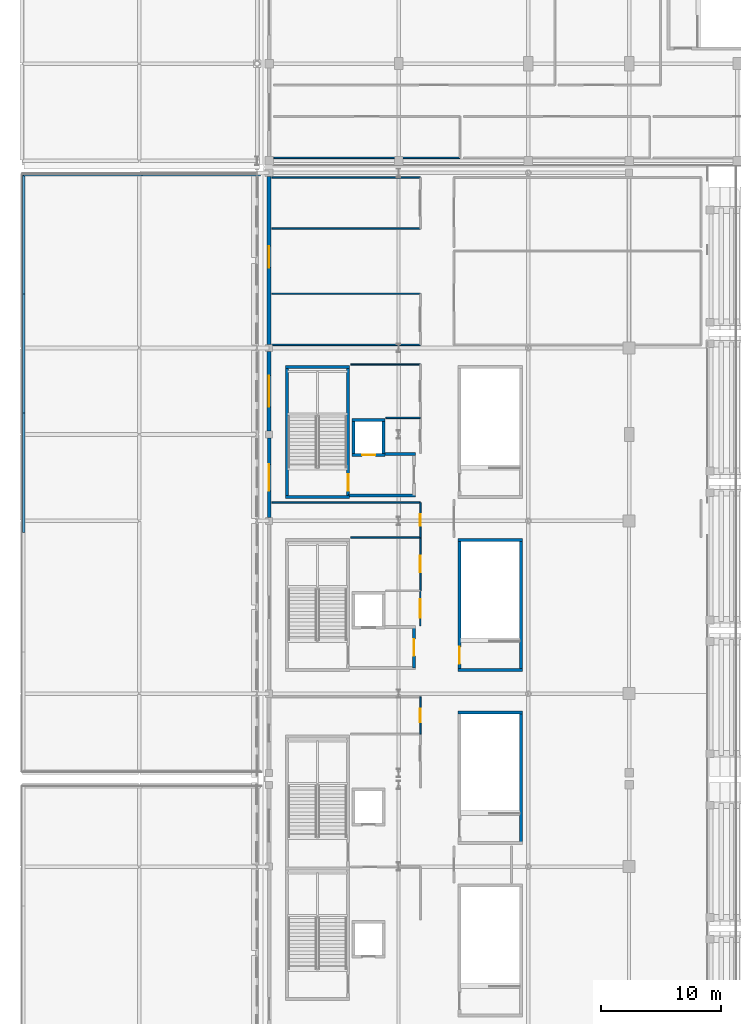
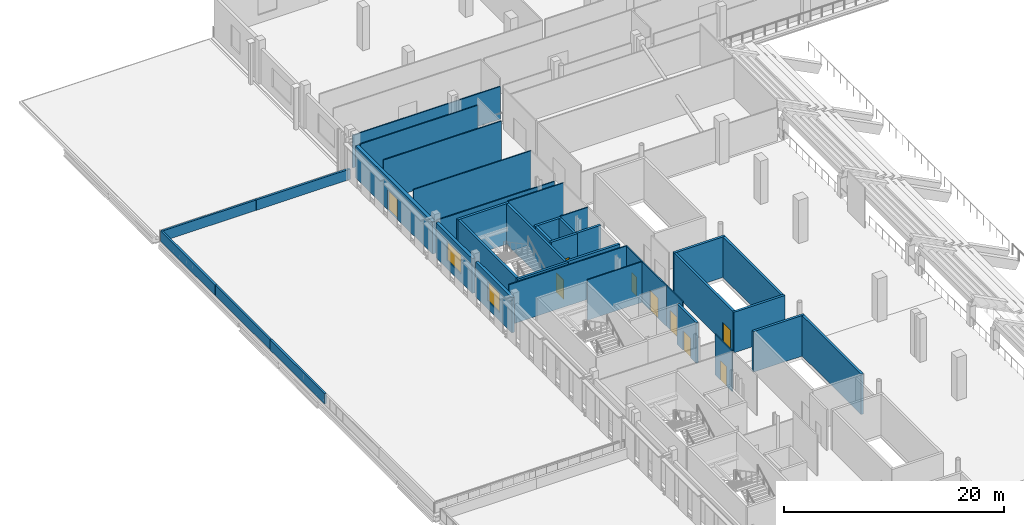
# One storey, part 33 of 74: 38 walls, 9 doors, 2 windows, 11 openings.
"""IFC4 building model written with IfcOpenShell, lengths in metres."""

from ifc_helpers import new_model, si_unit, direction, frame, frame_2d, origin, place, context, subcontext, project, spatial, rectangle, extrude, material, layer, layer_set, type_object, element, fill, save


model = new_model("IFC4")

# Units and contexts
model_context = context("Model", 3, precision=1e-05, world=origin(), true_north=direction((0.0, 1.0)))
body_context = subcontext(model_context, "Body", "Model", "MODEL_VIEW")
ifc_project = project(units=[si_unit("LENGTHUNIT", "METRE"), si_unit("AREAUNIT", "SQUARE_METRE"), si_unit("VOLUMEUNIT", "CUBIC_METRE"), si_unit("PLANEANGLEUNIT", "RADIAN"), si_unit("MASSUNIT", "GRAM", prefix="KILO")], contexts=[model_context])

# Site, building, storey
site_placement = place(None, origin())
site = spatial("IfcSite", under=ifc_project, at=site_placement, CompositionType="ELEMENT")
building_placement = place(site_placement, origin())
building = spatial("IfcBuilding", under=site, at=building_placement, Name="Koshinbarg Plaza Stadium", CompositionType="ELEMENT")
storey_placement = place(building_placement, frame((0.0, 0.0, 15.0)))
storey = spatial("IfcBuildingStorey", under=building, at=storey_placement, Name="L03", CompositionType="ELEMENT", Elevation=15.0)

# Walls
ifc_material_1 = material(Name="Concrete C40/50", Category="concrete")
ifc_layer_1 = layer(ifc_material_1, 0.25)
ifc_layer_set_1 = layer_set([ifc_layer_1], Name="Concrete C40/50")
wall_type_1 = type_object("IfcWallType", Name="WL-CORE-250", PredefinedType="SHEAR", material=ifc_layer_set_1)
for number, where, z_axis, x_axis, name in (
    (1, (25.949951171875, 99.47509765625, 0.0), (0.0, 0.0, 1.0), (1.0, 0.0, 0.0), "L03 core stair shear wall C06-near IWL-L03-0146"),
    (2, (31.320068359375, 110.324951171875, 0.0), (0.0, 0.0, 1.0), (-1.0, 0.0, 0.0), "L03 core stair shear wall C06-far IWL-L03-0147"),
):
    element("IfcWall", number, at=place(storey_placement, frame(where, z_axis=z_axis, x_axis=x_axis)), inside=storey, type_object=wall_type_1, Name=name, PredefinedType="SHEAR", context=body_context, shape_type="SweptSolid", body=[
        extrude(rectangle(XDim=5.3701171875, YDim=0.25, at=frame_2d((2.68505859375, 0.0))), origin(), (0.0, 0.0, 1.0), 4.5),
    ])
wall_1_placement = place(storey_placement, frame((26.074951171875, 99.47509765625, 0.0), z_axis=(0.0, 0.0, 1.0), x_axis=(0.0, 1.0, 0.0)))
element("IfcWall", 3, at=wall_1_placement, inside=storey, type_object=wall_type_1, Name="L03 core stair shear wall C06-left IWL-L03-0148", PredefinedType="SHEAR", context=body_context, shape_type="SweptSolid", body=[
    extrude(rectangle(XDim=10.849853515625, YDim=0.25, at=frame_2d((5.4248046875, 0.0))), origin(), (0.0, 0.0, 1.0), 4.5),
])

# Wall, opening, door
wall_2_placement = place(storey_placement, frame((31.195068359375, 99.47509765625, 0.0), z_axis=(0.0, 0.0, 1.0), x_axis=(0.0, 1.0, 0.0)))
wall_2 = element("IfcWall", 4, at=wall_2_placement, inside=storey, type_object=wall_type_1, Name="L03 core stair shear wall C06-right IWL-L03-0149", PredefinedType="SHEAR", context=body_context, shape_type="SweptSolid", body=[
    extrude(rectangle(XDim=10.849853515625, YDim=0.25, at=frame_2d((5.4248046875, 0.0))), origin(), (0.0, 0.0, 1.0), 4.5),
])
opening_1_placement = place(wall_2_placement, frame((0.52001953125, 0.0, 0.0)))
opening_1 = element("IfcOpeningElement", 5, at=opening_1_placement, cuts=wall_2, Name="Opening D-0099", PredefinedType="OPENING", context=body_context, shape_type="SweptSolid", body=[
    extrude(rectangle(XDim=1.39990234375, YDim=2.14990234375, at=frame_2d((0.699951171875, 1.074951171875))), frame((0.0, 0.135009765625, 0.0), z_axis=(0.0, -1.0, 0.0), x_axis=(1.0, 0.0, 0.0)), (0.0, 0.0, 1.0), 0.27001953125),
])
ifc_material_2 = material(Name="Painted galvanized steel fire door", Category="steel")
door_type_1 = type_object("IfcDoorType", Name="DR-STAIR-1400", OperationType="NOTDEFINED", PredefinedType="DOOR", material=ifc_material_2)
door_1_placement = place(opening_1_placement, origin())
door_1 = element("IfcDoor", 6, at=door_1_placement, inside=storey, type_object=door_type_1, Name="L03 exit stair door C06", OperationType="SINGLE_SWING_RIGHT", OverallHeight=2.14990234375, OverallWidth=1.39990234375, PredefinedType="DOOR", context=body_context, shape_type="SweptSolid", body=[
    extrude(rectangle(XDim=1.39990234375, YDim=2.14990234375, at=frame_2d((0.699951171875, 1.074951171875))), frame((0.0, 0.02490234375, 0.0), z_axis=(0.0, -1.0, 0.0), x_axis=(1.0, 0.0, 0.0)), (0.0, 0.0, 1.0), 0.050048828125),
])
fill(opening_1, door_1)

# Walls
wall_3_placement = place(storey_placement, frame((45.719970703125, 81.52490234375, 0.0), z_axis=(0.0, 0.0, 1.0), x_axis=(-1.0, 0.0, 0.0)))
element("IfcWall", 7, at=wall_3_placement, inside=storey, type_object=wall_type_1, Name="L03 vomitory stair shear wall VX04-far IWL-L03-0415", PredefinedType="SHEAR", context=body_context, shape_type="SweptSolid", body=[
    extrude(rectangle(XDim=5.369873046875, YDim=0.25, at=frame_2d((2.68505859375, 0.0))), origin(), (0.0, 0.0, 1.0), 4.5),
])
wall_4_placement = place(storey_placement, frame((45.594970703125, 70.675048828125, 0.0), z_axis=(0.0, 0.0, 1.0), x_axis=(0.0, 1.0, 0.0)))
element("IfcWall", 8, at=wall_4_placement, inside=storey, type_object=wall_type_1, Name="L03 vomitory stair shear wall VX04-right IWL-L03-0417", PredefinedType="SHEAR", context=body_context, shape_type="SweptSolid", body=[
    extrude(rectangle(XDim=10.849853515625, YDim=0.25, at=frame_2d((5.4248046875, 0.0))), origin(), (0.0, 0.0, 1.0), 4.5),
])
for number, where, z_axis, x_axis, name in (
    (9, (40.35009765625, 85.074951171875, 0.0), (0.0, 0.0, 1.0), (1.0, 0.0, 0.0), "L03 vomitory stair shear wall VX05-near IWL-L03-0430"),
    (10, (45.719970703125, 95.925048828125, 0.0), (0.0, 0.0, 1.0), (-1.0, 0.0, 0.0), "L03 vomitory stair shear wall VX05-far IWL-L03-0431"),
):
    element("IfcWall", number, at=place(storey_placement, frame(where, z_axis=z_axis, x_axis=x_axis)), inside=storey, type_object=wall_type_1, Name=name, PredefinedType="SHEAR", context=body_context, shape_type="SweptSolid", body=[
        extrude(rectangle(XDim=5.369873046875, YDim=0.25, at=frame_2d((2.68505859375, 0.0))), origin(), (0.0, 0.0, 1.0), 4.5),
    ])

# Wall, opening, door
wall_5_placement = place(storey_placement, frame((40.47509765625, 85.074951171875, 0.0), z_axis=(0.0, 0.0, 1.0), x_axis=(0.0, 1.0, 0.0)))
wall_5 = element("IfcWall", 11, at=wall_5_placement, inside=storey, type_object=wall_type_1, Name="L03 vomitory stair shear wall VX05-left IWL-L03-0432", PredefinedType="SHEAR", context=body_context, shape_type="SweptSolid", body=[
    extrude(rectangle(XDim=10.85009765625, YDim=0.25, at=frame_2d((5.425048828125, 0.0))), origin(), (0.0, 0.0, 1.0), 4.5),
])
opening_2_placement = place(wall_5_placement, frame((0.52001953125, 0.0, 0.0)))
opening_2 = element("IfcOpeningElement", 12, at=opening_2_placement, cuts=wall_5, Name="Opening D-0170", PredefinedType="OPENING", context=body_context, shape_type="SweptSolid", body=[
    extrude(rectangle(XDim=1.39990234375, YDim=2.14990234375, at=frame_2d((0.699951171875, 1.074951171875))), frame((0.0, 0.135009765625, 0.0), z_axis=(0.0, -1.0, 0.0), x_axis=(1.0, 0.0, 0.0)), (0.0, 0.0, 1.0), 0.27001953125),
])
door_2_placement = place(opening_2_placement, frame((1.39990234375, 0.0, 0.0), z_axis=(0.0, 0.0, 1.0), x_axis=(-1.0, 0.0, 0.0)))
door_2 = element("IfcDoor", 13, at=door_2_placement, inside=storey, type_object=door_type_1, Name="L03 vomitory exit stair door VX05", OperationType="SINGLE_SWING_LEFT", OverallHeight=2.14990234375, OverallWidth=1.39990234375, PredefinedType="DOOR", context=body_context, shape_type="SweptSolid", body=[
    extrude(rectangle(XDim=1.39990234375, YDim=2.14990234375, at=frame_2d((0.699951171875, 1.074951171875))), frame((0.0, 0.02490234375, 0.0), z_axis=(0.0, -1.0, 0.0), x_axis=(1.0, 0.0, 0.0)), (0.0, 0.0, 1.0), 0.050048828125),
])
fill(opening_2, door_2)

# Wall
wall_6_placement = place(storey_placement, frame((45.594970703125, 85.074951171875, 0.0), z_axis=(0.0, 0.0, 1.0), x_axis=(0.0, 1.0, 0.0)))
element("IfcWall", 14, at=wall_6_placement, inside=storey, type_object=wall_type_1, Name="L03 vomitory stair shear wall VX05-right IWL-L03-0433", PredefinedType="SHEAR", context=body_context, shape_type="SweptSolid", body=[
    extrude(rectangle(XDim=10.85009765625, YDim=0.25, at=frame_2d((5.425048828125, 0.0))), origin(), (0.0, 0.0, 1.0), 4.5),
])

# Wall, opening, door
wall_7_placement = place(storey_placement, frame((36.675048828125, 85.22509765625, 0.0), z_axis=(0.0, 0.0, 1.0), x_axis=(0.0, 1.0, 0.0)))
wall_7 = element("IfcWall", 15, at=wall_7_placement, inside=storey, type_object=wall_type_1, Name="L03 firefighting lobby wall C05-E IWL-L03-0789", PredefinedType="SHEAR", context=body_context, shape_type="SweptSolid", body=[
    extrude(rectangle(XDim=3.449951171875, YDim=0.25, at=frame_2d((1.72509765625, 0.0))), origin(), (0.0, 0.0, 1.0), 4.5),
])
opening_3_placement = place(wall_7_placement, frame((1.02490234375, 0.0, 0.0)))
opening_3 = element("IfcOpeningElement", 16, at=opening_3_placement, cuts=wall_7, Name="Opening D-0264", PredefinedType="OPENING", context=body_context, shape_type="SweptSolid", body=[
    extrude(rectangle(XDim=1.39990234375, YDim=2.14990234375, at=frame_2d((0.699951171875, 1.074951171875))), frame((0.0, 0.135009765625, 0.0), z_axis=(0.0, -1.0, 0.0), x_axis=(1.0, 0.0, 0.0)), (0.0, 0.0, 1.0), 0.27001953125),
])
ifc_material_3 = material(Name="Smoke-sealed steel firefighting lobby door", Category="steel")
door_type_2 = type_object("IfcDoorType", Name="DR-FFLOB-1400", OperationType="NOTDEFINED", PredefinedType="DOOR", material=ifc_material_3)
door_3_placement = place(opening_3_placement, origin())
door_3 = element("IfcDoor", 17, at=door_3_placement, inside=storey, type_object=door_type_2, Name="L03 firefighting lobby fire door C05", OperationType="DOUBLE_DOOR_SINGLE_SWING", OverallHeight=2.14990234375, OverallWidth=1.39990234375, PredefinedType="DOOR", context=body_context, shape_type="SweptSolid", body=[
    extrude(rectangle(XDim=1.39990234375, YDim=2.14990234375, at=frame_2d((0.699951171875, 1.074951171875))), frame((0.0, 0.02490234375, 0.0), z_axis=(0.0, -1.0, 0.0), x_axis=(1.0, 0.0, 0.0)), (0.0, 0.0, 1.0), 0.050048828125),
])
fill(opening_3, door_3)

wall_8_placement = place(storey_placement, frame((31.52490234375, 103.0, 0.0), z_axis=(0.0, 0.0, 1.0), x_axis=(1.0, 0.0, 0.0)))
wall_8 = element("IfcWall", 18, at=wall_8_placement, inside=storey, type_object=wall_type_1, Name="L03 lift shaft shear wall FL04-S IWL-L03-0834", PredefinedType="SHEAR", context=body_context, shape_type="SweptSolid", body=[
    extrude(rectangle(XDim=2.75, YDim=0.25, at=frame_2d((1.375, 0.0))), origin(), (0.0, 0.0, 1.0), 4.5),
])
opening_4_placement = place(wall_8_placement, frame((0.824951171875, 0.0, 0.0)))
opening_4 = element("IfcOpeningElement", 19, at=opening_4_placement, cuts=wall_8, Name="Opening D-0277", PredefinedType="OPENING", context=body_context, shape_type="SweptSolid", body=[
    extrude(rectangle(XDim=1.10009765625, YDim=2.14990234375, at=frame_2d((0.550048828125, 1.074951171875))), frame((0.0, 0.135009765625, 0.0), z_axis=(0.0, -1.0, 0.0), x_axis=(1.0, 0.0, 0.0)), (0.0, 0.0, 1.0), 0.27001953125),
])
ifc_material_4 = material(Name="Brushed stainless steel sliding lift landing door", Category="steel")
door_type_3 = type_object("IfcDoorType", Name="DR-LIFT-1100", OperationType="NOTDEFINED", PredefinedType="DOOR", material=ifc_material_4)
door_4_placement = place(opening_4_placement, origin())
door_4 = element("IfcDoor", 20, at=door_4_placement, inside=storey, type_object=door_type_3, Name="L03 lift landing door FL04", OperationType="SLIDING_TO_LEFT", OverallHeight=2.14990234375, OverallWidth=1.10009765625, PredefinedType="DOOR", context=body_context, shape_type="SweptSolid", body=[
    extrude(rectangle(XDim=1.10009765625, YDim=2.14990234375, at=frame_2d((0.550048828125, 1.074951171875))), frame((0.0, 0.02490234375, 0.0), z_axis=(0.0, -1.0, 0.0), x_axis=(1.0, 0.0, 0.0)), (0.0, 0.0, 1.0), 0.050048828125),
])
fill(opening_4, door_4)

# Walls
wall_9_placement = place(storey_placement, frame((34.27490234375, 105.89990234375, 0.0), z_axis=(0.0, 0.0, 1.0), x_axis=(-1.0, 0.0, 0.0)))
element("IfcWall", 21, at=wall_9_placement, inside=storey, type_object=wall_type_1, Name="L03 lift shaft shear wall FL04-N IWL-L03-0835", PredefinedType="SHEAR", context=body_context, shape_type="SweptSolid", body=[
    extrude(rectangle(XDim=2.75, YDim=0.25, at=frame_2d((1.375, 0.0))), origin(), (0.0, 0.0, 1.0), 4.5),
])
for number, where, z_axis, x_axis, name in (
    (22, (31.64990234375, 105.89990234375, 0.0), (0.0, 0.0, 1.0), (0.0, -1.0, 0.0), "L03 lift shaft shear wall FL04-W IWL-L03-0836"),
    (23, (34.14990234375, 103.0, 0.0), (0.0, 0.0, 1.0), (0.0, 1.0, 0.0), "L03 lift shaft shear wall FL04-E IWL-L03-0837"),
):
    element("IfcWall", number, at=place(storey_placement, frame(where, z_axis=z_axis, x_axis=x_axis)), inside=storey, type_object=wall_type_1, Name=name, PredefinedType="SHEAR", context=body_context, shape_type="SweptSolid", body=[
        extrude(rectangle(XDim=2.89990234375, YDim=0.25, at=frame_2d((1.449951171875, 0.0))), origin(), (0.0, 0.0, 1.0), 4.5),
    ])
wall_10_placement = place(storey_placement, frame((34.27490234375, 103.074951171875, 0.0), z_axis=(0.0, 0.0, 1.0), x_axis=(1.0, 0.0, 0.0)))
element("IfcWall", 24, at=wall_10_placement, inside=storey, type_object=wall_type_1, Name="L03 firefighting lobby wall C06-NE IWL-L03-0839", PredefinedType="SHEAR", context=body_context, shape_type="SweptSolid", body=[
    extrude(rectangle(XDim=2.525146484375, YDim=0.25, at=frame_2d((1.2626953125, 0.0))), origin(), (0.0, 0.0, 1.0), 4.5),
])
wall_11_placement = place(storey_placement, frame((31.199951171875, 99.625, 0.0), z_axis=(0.0, 0.0, 1.0), x_axis=(1.0, 0.0, 0.0)))
element("IfcWall", 25, at=wall_11_placement, inside=storey, type_object=wall_type_1, Name="L03 firefighting lobby wall C06-S IWL-L03-0840", PredefinedType="SHEAR", context=body_context, shape_type="SweptSolid", body=[
    extrude(rectangle(XDim=5.60009765625, YDim=0.25, at=frame_2d((2.800048828125, 0.0))), origin(), (0.0, 0.0, 1.0), 4.5),
])

# Wall, opening, window
ifc_material_5 = material(Name="Off-white mineral plaster insulated wall", Category="masonry")
ifc_layer_2 = layer(ifc_material_5, 0.300048828125)
ifc_layer_set_2 = layer_set([ifc_layer_2], Name="Off-white mineral plaster insulated wall")
wall_type_2 = type_object("IfcWallType", Name="WL-EXT-300", PredefinedType="SOLIDWALL", material=ifc_layer_set_2)
wall_12_placement = place(storey_placement, frame((24.60009765625, 97.794921875, 0.0), z_axis=(0.0, 0.0, 1.0), x_axis=(0.0, 1.0, 0.0)))
wall_12 = element("IfcWall", 26, at=wall_12_placement, inside=storey, type_object=wall_type_2, Name="L03 exterior envelope wall EWL-L03-0153", PredefinedType="SOLIDWALL", context=body_context, shape_type="SweptSolid", body=[
    extrude(rectangle(XDim=6.610107421875, YDim=0.300048828125, at=frame_2d((3.30517578125, 0.0))), origin(), (0.0, 0.0, 1.0), 3.8798828125),
])
opening_5_placement = place(wall_12_placement, frame((2.205078125, 0.0, 0.89990234375)))
opening_5 = element("IfcOpeningElement", 27, at=opening_5_placement, cuts=wall_12, Name="Opening WN15", PredefinedType="OPENING", context=body_context, shape_type="SweptSolid", body=[
    extrude(rectangle(XDim=2.199951171875, YDim=2.10009765625, at=frame_2d((1.10009765625, 1.050048828125))), frame((0.0, 0.159912109375, 0.0), z_axis=(0.0, -1.0, 0.0), x_axis=(1.0, 0.0, 0.0)), (0.0, 0.0, 1.0), 0.320068359375),
])
ifc_material_6 = material(Name="Solar-control double glazing in thermally broken aluminium frame", Category="aluminium")
window_type_1 = type_object("IfcWindowType", Name="WN-FAC-15", PartitioningType="DOUBLE_PANEL_VERTICAL", PredefinedType="WINDOW", material=ifc_material_6)
window_1_placement = place(opening_5_placement, origin())
window_1 = element("IfcWindow", 28, at=window_1_placement, inside=storey, type_object=window_type_1, Name="L03 facade window 0087", OverallHeight=2.10009765625, OverallWidth=2.199951171875, PartitioningType="SINGLE_PANEL", PredefinedType="WINDOW", context=body_context, shape_type="SweptSolid", body=[
    extrude(rectangle(XDim=2.199951171875, YDim=2.10009765625, at=frame_2d((1.10009765625, 1.050048828125))), frame((0.0, 0.030029296875, 0.0), z_axis=(0.0, -1.0, 0.0), x_axis=(1.0, 0.0, 0.0)), (0.0, 0.0, 1.0), 0.06005859375),
])
fill(opening_5, window_1)

ifc_material_7 = material(Name="Ultramarine-blue pigmented mineral plaster facade wall", Category="masonry")
ifc_layer_3 = layer(ifc_material_7, 0.320068359375)
ifc_layer_set_3 = layer_set([ifc_layer_3], Name="Ultramarine-blue pigmented mineral plaster facade wall")
wall_type_3 = type_object("IfcWallType", Name="WL-EXT-320", PredefinedType="SOLIDWALL", material=ifc_layer_set_3)
wall_13_placement = place(storey_placement, frame((24.60009765625, 104.9951171875, 0.0), z_axis=(0.0, 0.0, 1.0), x_axis=(0.0, 1.0, 0.0)))
wall_13 = element("IfcWall", 29, at=wall_13_placement, inside=storey, type_object=wall_type_3, Name="L03 exterior envelope wall EWL-L03-0154", PredefinedType="SOLIDWALL", context=body_context, shape_type="SweptSolid", body=[
    extrude(rectangle(XDim=6.60986328125, YDim=0.320068359375, at=frame_2d((3.304931640625, 0.0))), origin(), (0.0, 0.0, 1.0), 3.8798828125),
])
opening_6_placement = place(wall_13_placement, frame((2.0048828125, 0.0, 0.89990234375)))
opening_6 = element("IfcOpeningElement", 30, at=opening_6_placement, cuts=wall_13, Name="Opening WN16", PredefinedType="OPENING", context=body_context, shape_type="SweptSolid", body=[
    extrude(rectangle(XDim=2.60009765625, YDim=2.10009765625, at=frame_2d((1.300048828125, 1.050048828125))), frame((0.0, 0.169921875, 0.0), z_axis=(0.0, -1.0, 0.0), x_axis=(1.0, 0.0, 0.0)), (0.0, 0.0, 1.0), 0.340087890625),
])
window_type_2 = type_object("IfcWindowType", Name="WN-FAC-16", PartitioningType="DOUBLE_PANEL_VERTICAL", PredefinedType="WINDOW", material=ifc_material_6)
window_2_placement = place(opening_6_placement, origin())
window_2 = element("IfcWindow", 31, at=window_2_placement, inside=storey, type_object=window_type_2, Name="L03 facade window 0088", OverallHeight=2.10009765625, OverallWidth=2.60009765625, PartitioningType="SINGLE_PANEL", PredefinedType="WINDOW", context=body_context, shape_type="SweptSolid", body=[
    extrude(rectangle(XDim=2.60009765625, YDim=2.10009765625, at=frame_2d((1.300048828125, 1.050048828125))), frame((0.0, 0.030029296875, 0.0), z_axis=(0.0, -1.0, 0.0), x_axis=(1.0, 0.0, 0.0)), (0.0, 0.0, 1.0), 0.06005859375),
])
fill(opening_6, window_2)

# Wall, opening, door
ifc_material_8 = material(Name="Acoustic insulated masonry stadium wall", Category="masonry")
ifc_layer_4 = layer(ifc_material_8, 0.35009765625)
ifc_layer_set_4 = layer_set([ifc_layer_4], Name="Acoustic insulated masonry stadium wall")
wall_type_4 = type_object("IfcWallType", Name="WL-EXT-350", PredefinedType="SOLIDWALL", material=ifc_layer_set_4)
wall_14_placement = place(storey_placement, frame((24.60009765625, 112.195068359375, 0.0), z_axis=(0.0, 0.0, 1.0), x_axis=(0.0, 1.0, 0.0)))
wall_14 = element("IfcWall", 32, at=wall_14_placement, inside=storey, type_object=wall_type_4, Name="L03 exterior envelope wall EWL-L03-0155", PredefinedType="SOLIDWALL", context=body_context, shape_type="SweptSolid", body=[
    extrude(rectangle(XDim=13.98486328125, YDim=0.35009765625, at=frame_2d((6.992431640625, 0.0))), origin(), (0.0, 0.0, 1.0), 3.580078125),
])
opening_7_placement = place(wall_14_placement, frame((6.39990234375, 0.0, 0.0)))
opening_7 = element("IfcOpeningElement", 33, at=opening_7_placement, cuts=wall_14, Name="Opening D-0057", PredefinedType="OPENING", context=body_context, shape_type="SweptSolid", body=[
    extrude(rectangle(XDim=1.800048828125, YDim=2.199951171875, at=frame_2d((0.89990234375, 1.10009765625))), frame((0.0, 0.18505859375, 0.0), z_axis=(0.0, -1.0, 0.0), x_axis=(1.0, 0.0, 0.0)), (0.0, 0.0, 1.0), 0.3701171875),
])
ifc_material_9 = material(Name="Glazed aluminium roof-garden access door", Category="aluminium")
door_type_4 = type_object("IfcDoorType", Name="DR-TERR-1800", OperationType="NOTDEFINED", PredefinedType="DOOR", material=ifc_material_9)
door_5_placement = place(opening_7_placement, origin())
door_5 = element("IfcDoor", 34, at=door_5_placement, inside=storey, type_object=door_type_4, Name="L03 Planted roof garden terrace door", OperationType="DOUBLE_DOOR_SINGLE_SWING", OverallHeight=2.199951171875, OverallWidth=1.800048828125, PredefinedType="DOOR", context=body_context, shape_type="SweptSolid", body=[
    extrude(rectangle(XDim=1.800048828125, YDim=2.199951171875, at=frame_2d((0.89990234375, 1.10009765625))), frame((0.0, 0.02490234375, 0.0), z_axis=(0.0, -1.0, 0.0), x_axis=(1.0, 0.0, 0.0)), (0.0, 0.0, 1.0), 0.050048828125),
])
fill(opening_7, door_5)

# Walls
ifc_material_10 = material(Name="Precast concrete C40/50", Category="concrete")
ifc_layer_5 = layer(ifc_material_10, 0.199951171875)
ifc_layer_set_5 = layer_set([ifc_layer_5], Name="Precast concrete C40/50")
wall_type_5 = type_object("IfcWallType", Name="WL-PAR-200", PredefinedType="PARAPET", material=ifc_layer_set_5)
wall_15_placement = place(storey_placement, frame((14.027587890625, 126.35009765625, 0.0), z_axis=(0.0, 0.0, 1.0), x_axis=(-1.0, 0.0, 0.0)))
element("IfcWall", 35, at=wall_15_placement, inside=storey, type_object=wall_type_5, Name="L03 roof garden parapet 004", PredefinedType="PARAPET", context=body_context, shape_type="SweptSolid", body=[
    extrude(rectangle(XDim=9.877685546875, YDim=0.199951171875, at=frame_2d((4.93896484375, 0.0))), origin(), (0.0, 0.0, 1.0), 1.14990234375),
])
wall_16_placement = place(storey_placement, frame((4.14990234375, 116.409912109375, 0.0), z_axis=(0.0, 0.0, 1.0), x_axis=(0.0, -1.0, 0.0)))
element("IfcWall", 36, at=wall_16_placement, inside=storey, type_object=wall_type_5, Name="L03 roof garden parapet 006", PredefinedType="PARAPET", context=body_context, shape_type="SweptSolid", body=[
    extrude(rectangle(XDim=9.93994140625, YDim=0.199951171875, at=frame_2d((4.969970703125, 0.0))), origin(), (0.0, 0.0, 1.0), 1.14990234375),
])
ifc_layer_6 = layer(ifc_material_10, 0.219970703125)
ifc_layer_set_6 = layer_set([ifc_layer_6], Name="Precast concrete C40/50")
wall_type_6 = type_object("IfcWallType", Name="WL-PAR-220", PredefinedType="PARAPET", material=ifc_layer_set_6)
wall_17_placement = place(storey_placement, frame((23.905029296875, 126.35009765625, 0.0), z_axis=(0.0, 0.0, 1.0), x_axis=(-1.0, 0.0, 0.0)))
element("IfcWall", 37, at=wall_17_placement, inside=storey, type_object=wall_type_6, Name="L03 roof garden parapet 003", PredefinedType="PARAPET", context=body_context, shape_type="SweptSolid", body=[
    extrude(rectangle(XDim=9.87744140625, YDim=0.219970703125, at=frame_2d((4.938720703125, 0.0))), origin(), (0.0, 0.0, 1.0), 1.14990234375),
])
wall_18_placement = place(storey_placement, frame((4.14990234375, 126.35009765625, 0.0), z_axis=(0.0, 0.0, 1.0), x_axis=(0.0, -1.0, 0.0)))
element("IfcWall", 38, at=wall_18_placement, inside=storey, type_object=wall_type_6, Name="L03 roof garden parapet 005", PredefinedType="PARAPET", context=body_context, shape_type="SweptSolid", body=[
    extrude(rectangle(XDim=9.940185546875, YDim=0.219970703125, at=frame_2d((4.97021484375, 0.0))), origin(), (0.0, 0.0, 1.0), 1.14990234375),
])
wall_19_placement = place(storey_placement, frame((4.14990234375, 106.469970703125, 0.0), z_axis=(0.0, 0.0, 1.0), x_axis=(0.0, -1.0, 0.0)))
element("IfcWall", 39, at=wall_19_placement, inside=storey, type_object=wall_type_6, Name="L03 roof garden parapet 007", PredefinedType="PARAPET", context=body_context, shape_type="SweptSolid", body=[
    extrude(rectangle(XDim=9.93994140625, YDim=0.219970703125, at=frame_2d((4.969970703125, 0.0))), origin(), (0.0, 0.0, 1.0), 1.14990234375),
])

# Wall, opening, door
ifc_material_11 = material(Name="Gypsum board metal-stud acoustic partition")
ifc_layer_7 = layer(ifc_material_11, 0.1201171875)
ifc_layer_set_7 = layer_set([ifc_layer_7], Name="Gypsum board metal-stud acoustic partition")
wall_type_7 = type_object("IfcWallType", Name="WL-PART-120", PredefinedType="PARTITIONING", material=ifc_layer_set_7)
wall_20_placement = place(storey_placement, frame((37.199951171875, 79.72998046875, 0.0), z_axis=(0.0, 0.0, 1.0), x_axis=(0.0, 1.0, 0.0)))
wall_20 = element("IfcWall", 40, at=wall_20_placement, inside=storey, type_object=wall_type_7, Name="L03 interior partition L03-71-east IWL-L03-1938", PredefinedType="PARTITIONING", context=body_context, shape_type="SweptSolid", body=[
    extrude(rectangle(XDim=3.10009765625, YDim=0.1201171875, at=frame_2d((1.550048828125, 0.0))), origin(), (0.0, 0.0, 1.0), 4.5),
])
opening_8_placement = place(wall_20_placement, frame((0.989990234375, 0.0, 0.0)))
opening_8 = element("IfcOpeningElement", 41, at=opening_8_placement, cuts=wall_20, Name="Opening D-0661", PredefinedType="OPENING", context=body_context, shape_type="SweptSolid", body=[
    extrude(rectangle(XDim=1.1201171875, YDim=2.14990234375, at=frame_2d((0.56005859375, 1.074951171875))), frame((0.0, 0.070068359375, 0.0), z_axis=(0.0, -1.0, 0.0), x_axis=(1.0, 0.0, 0.0)), (0.0, 0.0, 1.0), 0.14013671875),
])
ifc_material_12 = material(Name="Acoustic timber broadcast studio door", Category="wood")
door_type_5 = type_object("IfcDoorType", Name="DR-INT-1120x2150", OperationType="NOTDEFINED", PredefinedType="DOOR", material=ifc_material_12)
door_6_placement = place(opening_8_placement, origin())
door_6 = element("IfcDoor", 42, at=door_6_placement, inside=storey, type_object=door_type_5, Name="L03 Upper Public Concourse door D-0661", OperationType="SINGLE_SWING_LEFT", OverallHeight=2.14990234375, OverallWidth=1.1201171875, PredefinedType="DOOR", context=body_context, shape_type="SweptSolid", body=[
    extrude(rectangle(XDim=1.1201171875, YDim=2.14990234375, at=frame_2d((0.56005859375, 1.074951171875))), frame((0.0, 0.02490234375, 0.0), z_axis=(0.0, -1.0, 0.0), x_axis=(1.0, 0.0, 0.0)), (0.0, 0.0, 1.0), 0.050048828125),
])
fill(opening_8, door_6)

wall_21_placement = place(storey_placement, frame((37.199951171875, 96.1298828125, 0.0), z_axis=(0.0, 0.0, 1.0), x_axis=(0.0, 1.0, 0.0)))
wall_21 = element("IfcWall", 43, at=wall_21_placement, inside=storey, type_object=wall_type_7, Name="L03 interior partition L03-73-east IWL-L03-1942", PredefinedType="PARTITIONING", context=body_context, shape_type="SweptSolid", body=[
    extrude(rectangle(XDim=2.888671875, YDim=0.1201171875, at=frame_2d((1.4443359375, 0.0))), origin(), (0.0, 0.0, 1.0), 4.5),
])
opening_9_placement = place(wall_21_placement, frame((0.984375, 0.0, 0.0)))
opening_9 = element("IfcOpeningElement", 44, at=opening_9_placement, cuts=wall_21, Name="Opening D-0663", PredefinedType="OPENING", context=body_context, shape_type="SweptSolid", body=[
    extrude(rectangle(XDim=0.919921875, YDim=2.10009765625, at=frame_2d((0.4599609375, 1.050048828125))), frame((0.0, 0.070068359375, 0.0), z_axis=(0.0, -1.0, 0.0), x_axis=(1.0, 0.0, 0.0)), (0.0, 0.0, 1.0), 0.14013671875),
])
ifc_material_13 = material(Name="Solid-core oak veneer acoustic door")
door_type_6 = type_object("IfcDoorType", Name="DR-INT-0920x2100", OperationType="NOTDEFINED", PredefinedType="DOOR", material=ifc_material_13)
door_7_placement = place(opening_9_placement, origin())
door_7 = element("IfcDoor", 45, at=door_7_placement, inside=storey, type_object=door_type_6, Name="L03 Upper Public Concourse door D-0663", OperationType="SINGLE_SWING_LEFT", OverallHeight=2.10009765625, OverallWidth=0.919921875, PredefinedType="DOOR", context=body_context, shape_type="SweptSolid", body=[
    extrude(rectangle(XDim=0.919921875, YDim=2.10009765625, at=frame_2d((0.4599609375, 1.050048828125))), frame((0.0, 0.02490234375, 0.0), z_axis=(0.0, -1.0, 0.0), x_axis=(1.0, 0.0, 0.0)), (0.0, 0.0, 1.0), 0.050048828125),
])
fill(opening_9, door_7)

# Wall
wall_22_placement = place(storey_placement, frame((37.199951171875, 99.0185546875, 0.0), z_axis=(0.0, 0.0, 1.0), x_axis=(-1.0, 0.0, 0.0)))
element("IfcWall", 46, at=wall_22_placement, inside=storey, type_object=wall_type_7, Name="L03 interior partition L03-73-north IWL-L03-1943", PredefinedType="PARTITIONING", context=body_context, shape_type="SweptSolid", body=[
    extrude(rectangle(XDim=12.35498046875, YDim=0.1201171875, at=frame_2d((6.177490234375, 0.0))), origin(), (0.0, 0.0, 1.0), 4.5),
])

# Wall, opening, door
wall_23_placement = place(storey_placement, frame((37.199951171875, 91.679931640625, 0.0), z_axis=(0.0, 0.0, 1.0), x_axis=(0.0, 1.0, 0.0)))
wall_23 = element("IfcWall", 47, at=wall_23_placement, inside=storey, type_object=wall_type_7, Name="L03 interior partition L03-74-east IWL-L03-1944", PredefinedType="PARTITIONING", context=body_context, shape_type="SweptSolid", body=[
    extrude(rectangle(XDim=4.449951171875, YDim=0.1201171875, at=frame_2d((2.22509765625, 0.0))), origin(), (0.0, 0.0, 1.0), 4.5),
])
opening_10_placement = place(wall_23_placement, frame((1.52490234375, 0.0, 0.0)))
opening_10 = element("IfcOpeningElement", 48, at=opening_10_placement, cuts=wall_23, Name="Opening D-0664", PredefinedType="OPENING", context=body_context, shape_type="SweptSolid", body=[
    extrude(rectangle(XDim=1.39990234375, YDim=2.199951171875, at=frame_2d((0.699951171875, 1.10009765625))), frame((0.0, 0.070068359375, 0.0), z_axis=(0.0, -1.0, 0.0), x_axis=(1.0, 0.0, 0.0)), (0.0, 0.0, 1.0), 0.14013671875),
])
ifc_material_14 = material(Name="Stainless-clad solid-core timber double fire door", Category="wood")
door_type_7 = type_object("IfcDoorType", Name="DR-INT-1400x2200", OperationType="NOTDEFINED", PredefinedType="DOOR", material=ifc_material_14)
door_8_placement = place(opening_10_placement, origin())
door_8 = element("IfcDoor", 49, at=door_8_placement, inside=storey, type_object=door_type_7, Name="L03 West Family Cafe Hall door D-0664", OperationType="DOUBLE_DOOR_SINGLE_SWING", OverallHeight=2.199951171875, OverallWidth=1.39990234375, PredefinedType="DOOR", context=body_context, shape_type="SweptSolid", body=[
    extrude(rectangle(XDim=1.39990234375, YDim=2.199951171875, at=frame_2d((0.699951171875, 1.10009765625))), frame((0.0, 0.02490234375, 0.0), z_axis=(0.0, -1.0, 0.0), x_axis=(1.0, 0.0, 0.0)), (0.0, 0.0, 1.0), 0.050048828125),
])
fill(opening_10, door_8)

# Wall
wall_24_placement = place(storey_placement, frame((37.199951171875, 96.1298828125, 0.0), z_axis=(0.0, 0.0, 1.0), x_axis=(-1.0, 0.0, 0.0)))
element("IfcWall", 50, at=wall_24_placement, inside=storey, type_object=wall_type_7, Name="L03 interior partition L03-74-north IWL-L03-1945", PredefinedType="PARTITIONING", context=body_context, shape_type="SweptSolid", body=[
    extrude(rectangle(XDim=5.800048828125, YDim=0.1201171875, at=frame_2d((2.89990234375, 0.0))), origin(), (0.0, 0.0, 1.0), 4.5),
])

# Wall, opening, door
wall_25_placement = place(storey_placement, frame((37.199951171875, 88.72998046875, 0.0), z_axis=(0.0, 0.0, 1.0), x_axis=(0.0, 1.0, 0.0)))
wall_25 = element("IfcWall", 51, at=wall_25_placement, inside=storey, type_object=wall_type_7, Name="L03 interior partition L03-75-east IWL-L03-1946", PredefinedType="PARTITIONING", context=body_context, shape_type="SweptSolid", body=[
    extrude(rectangle(XDim=2.949951171875, YDim=0.1201171875, at=frame_2d((1.47509765625, 0.0))), origin(), (0.0, 0.0, 1.0), 4.5),
])
opening_11_placement = place(wall_25_placement, frame((0.699951171875, 0.0, 0.0)))
opening_11 = element("IfcOpeningElement", 52, at=opening_11_placement, cuts=wall_25, Name="Opening D-0665", PredefinedType="OPENING", context=body_context, shape_type="SweptSolid", body=[
    extrude(rectangle(XDim=1.550048828125, YDim=2.199951171875, at=frame_2d((0.77490234375, 1.10009765625))), frame((0.0, 0.070068359375, 0.0), z_axis=(0.0, -1.0, 0.0), x_axis=(1.0, 0.0, 0.0)), (0.0, 0.0, 1.0), 0.14013671875),
])
ifc_material_15 = material(Name="Toughened laminated glass in aluminium frame", Category="aluminium")
door_type_8 = type_object("IfcDoorType", Name="DR-INT-1550x2200", OperationType="NOTDEFINED", PredefinedType="DOOR", material=ifc_material_15)
door_9_placement = place(opening_11_placement, origin())
door_9 = element("IfcDoor", 53, at=door_9_placement, inside=storey, type_object=door_type_8, Name="L03 Supporters' Viewing Salon door D-0665", OperationType="DOUBLE_DOOR_SINGLE_SWING", OverallHeight=2.199951171875, OverallWidth=1.550048828125, PredefinedType="DOOR", context=body_context, shape_type="SweptSolid", body=[
    extrude(rectangle(XDim=1.550048828125, YDim=2.199951171875, at=frame_2d((0.77490234375, 1.10009765625))), frame((0.0, 0.02490234375, 0.0), z_axis=(0.0, -1.0, 0.0), x_axis=(1.0, 0.0, 0.0)), (0.0, 0.0, 1.0), 0.050048828125),
])
fill(opening_11, door_9)

# Walls
wall_26_placement = place(storey_placement, frame((37.199951171875, 110.530029296875, 0.0), z_axis=(0.0, 0.0, 1.0), x_axis=(-1.0, 0.0, 0.0)))
element("IfcWall", 54, at=wall_26_placement, inside=storey, type_object=wall_type_7, Name="L03 interior partition L03-76-north IWL-L03-1949", PredefinedType="PARTITIONING", context=body_context, shape_type="SweptSolid", body=[
    extrude(rectangle(XDim=5.800048828125, YDim=0.1201171875, at=frame_2d((2.89990234375, 0.0))), origin(), (0.0, 0.0, 1.0), 4.5),
])
wall_27_placement = place(storey_placement, frame((37.199951171875, 106.080078125, 0.0), z_axis=(0.0, 0.0, 1.0), x_axis=(-1.0, 0.0, 0.0)))
element("IfcWall", 55, at=wall_27_placement, inside=storey, type_object=wall_type_7, Name="L03 interior partition L03-77-north IWL-L03-1951", PredefinedType="PARTITIONING", context=body_context, shape_type="SweptSolid", body=[
    extrude(rectangle(XDim=2.869873046875, YDim=0.1201171875, at=frame_2d((1.43505859375, 0.0))), origin(), (0.0, 0.0, 1.0), 4.5),
])
wall_28_placement = place(storey_placement, frame((24.844970703125, 112.169921875, 0.0), z_axis=(0.0, 0.0, 1.0), x_axis=(1.0, 0.0, 0.0)))
element("IfcWall", 56, at=wall_28_placement, inside=storey, type_object=wall_type_7, Name="L03 interior partition L03-79-south IWL-L03-1954", PredefinedType="PARTITIONING", context=body_context, shape_type="SweptSolid", body=[
    extrude(rectangle(XDim=12.35498046875, YDim=0.1201171875, at=frame_2d((6.177490234375, 0.0))), origin(), (0.0, 0.0, 1.0), 3.679931640625),
])
for number, where, z_axis, x_axis, name in (
    (57, (37.199951171875, 116.42529296875, 0.0), (0.0, 0.0, 1.0), (-1.0, 0.0, 0.0), "L03 interior partition L03-79-north IWL-L03-1956"),
    (58, (24.844970703125, 121.849853515625, 0.0), (0.0, 0.0, 1.0), (1.0, 0.0, 0.0), "L03 interior partition L03-80-south IWL-L03-1957"),
):
    element("IfcWall", number, at=place(storey_placement, frame(where, z_axis=z_axis, x_axis=x_axis)), inside=storey, type_object=wall_type_7, Name=name, PredefinedType="PARTITIONING", context=body_context, shape_type="SweptSolid", body=[
        extrude(rectangle(XDim=12.35498046875, YDim=0.1201171875, at=frame_2d((6.177490234375, 0.0))), origin(), (0.0, 0.0, 1.0), 4.5),
    ])
wall_29_placement = place(storey_placement, frame((37.199951171875, 126.10498046875, 0.0), z_axis=(0.0, 0.0, 1.0), x_axis=(-1.0, 0.0, 0.0)))
element("IfcWall", 59, at=wall_29_placement, inside=storey, type_object=wall_type_7, Name="L03 interior partition L03-80-north IWL-L03-1959", PredefinedType="PARTITIONING", context=body_context, shape_type="SweptSolid", body=[
    extrude(rectangle(XDim=12.35498046875, YDim=0.1201171875, at=frame_2d((6.177490234375, 0.0))), origin(), (0.0, 0.0, 1.0), 3.679931640625),
])
wall_30_placement = place(storey_placement, frame((24.9951171875, 127.7451171875, 0.0), z_axis=(0.0, 0.0, 1.0), x_axis=(1.0, 0.0, 0.0)))
element("IfcWall", 60, at=wall_30_placement, inside=storey, type_object=wall_type_7, Name="L03 interior partition L03-96-south IWL-L03-2000", PredefinedType="PARTITIONING", context=body_context, shape_type="SweptSolid", body=[
    extrude(rectangle(XDim=15.511474609375, YDim=0.1201171875, at=frame_2d((7.755859375, 0.0))), origin(), (0.0, 0.0, 1.0), 3.6201171875),
])

save(model, "model.ifc")
